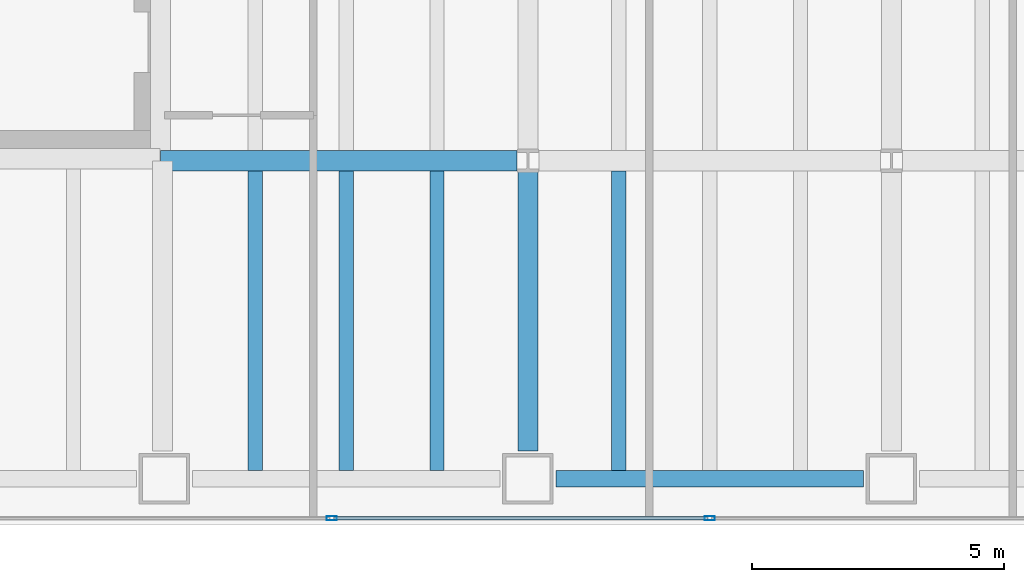
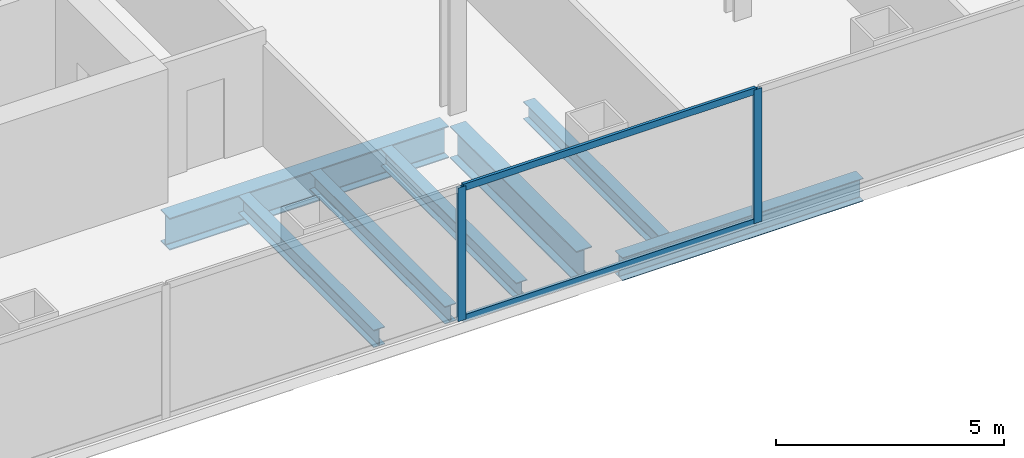
# One storey, part 4 of 25: 7 beams, 4 members, 1 element without a shape of its own.
"""IFC4 building model written with IfcOpenShell, lengths in metres."""

import ifcopenshell
import ifcopenshell.guid

model = None  # the IFC model being written
_history = None  # IfcOwnerHistory: only IFC2X3 demands one
_inside = {}  # id of a spatial element -> (the spatial element, [elements in it])
_under = {}  # id of a project, library or spatial element -> (it, [spatial elements below it])
_declared = {}  # id of a project -> (the project, [libraries it declares])
_typed = {}  # id of a type object -> (the type object, [elements of that type])
_made_of = {}  # id of a material, layer set ... -> (it, [elements and type objects made of it])


def new_model(schema):
    """Start an empty IFC model of exactly this schema.

    Asked for "IFC4X3", IfcOpenShell would pick the latest addendum, in which some entities
    have other attributes; the version numbers below select the first issue.
    IFC2X3 requires an IfcOwnerHistory on every rooted entity: one is made here for all.
    """
    global model, _history
    if schema == "IFC4X3":
        model = ifcopenshell.file(schema_version=(4, 3, 0, 0))
    else:
        model = ifcopenshell.file(schema=schema)
    _inside.clear()
    _under.clear()
    _declared.clear()
    _typed.clear()
    _made_of.clear()
    _history = None
    if model.schema == "IFC2X3":
        org = make("IfcOrganization", Name="unknown")
        user = make(
            "IfcPersonAndOrganization",
            ThePerson=make("IfcPerson", FamilyName="unknown"),
            TheOrganization=org,
        )
        app = make(
            "IfcApplication",
            ApplicationDeveloper=org,
            Version="unknown",
            ApplicationFullName="unknown",
            ApplicationIdentifier="unknown",
        )
        _history = make(
            "IfcOwnerHistory",
            OwningUser=user,
            OwningApplication=app,
            ChangeAction="ADDED",
            CreationDate=0,
        )
    return model


def make(cls, **values):
    """One entity of the class cls with the attributes given. An attribute that is None is left unset."""
    return model.create_entity(
        cls, **{name: value for name, value in values.items() if value is not None}
    )


def rooted(cls, **values):
    """An entity with a GlobalId (a new one), such as an element, a storey or a relation."""
    return make(cls, GlobalId=ifcopenshell.guid.new(), OwnerHistory=_history, **values)


def si_unit(unit_type, name, prefix=None):
    """IfcSIUnit, for example si_unit("LENGTHUNIT", "METRE", prefix="MILLI")."""
    return make("IfcSIUnit", UnitType=unit_type, Prefix=prefix, Name=name)


def assignment(units):
    """IfcUnitAssignment: the units of a project."""
    return None if units is None else make("IfcUnitAssignment", Units=units)


def point(xyz):
    """IfcCartesianPoint."""
    return None if xyz is None else make("IfcCartesianPoint", Coordinates=xyz)


def direction(xyz):
    """IfcDirection."""
    return None if xyz is None else make("IfcDirection", DirectionRatios=xyz)


def frame(location, z_axis=None, x_axis=None):
    """IfcAxis2Placement3D, a coordinate frame: its origin and axes. An axis left out is left unset."""
    return make(
        "IfcAxis2Placement3D",
        Location=point(location),
        Axis=direction(z_axis),
        RefDirection=direction(x_axis),
    )


def frame_2d(location, x_axis=None):
    """IfcAxis2Placement2D, a coordinate frame in the plane: its origin and x axis."""
    return make(
        "IfcAxis2Placement2D", Location=point(location), RefDirection=direction(x_axis)
    )


def origin():
    """The frame at (0, 0, 0) with its axes left unset."""
    return frame((0.0, 0.0, 0.0))


def origin_2d():
    """The frame at (0, 0) in the plane with its x axis left unset."""
    return frame_2d((0.0, 0.0))


def place(relative_to, where):
    """IfcLocalPlacement: puts the frame where relative to a parent placement (None: the world)."""
    return make(
        "IfcLocalPlacement", PlacementRelTo=relative_to, RelativePlacement=where
    )


def context(
    kind, dimensions, precision=None, world=None, true_north=None, identifier=None
):
    """IfcGeometricRepresentationContext, for example the 3D "Model" context."""
    return make(
        "IfcGeometricRepresentationContext",
        ContextIdentifier=identifier,
        ContextType=kind,
        CoordinateSpaceDimension=dimensions,
        Precision=precision,
        WorldCoordinateSystem=world,
        TrueNorth=true_north,
    )


def subcontext(parent, identifier, kind, view, scale=None):
    """IfcGeometricRepresentationSubContext, for example "Body" below "Model"."""
    return make(
        "IfcGeometricRepresentationSubContext",
        ContextIdentifier=identifier,
        ContextType=kind,
        ParentContext=parent,
        TargetScale=scale,
        TargetView=view,
    )


def project(units=None, contexts=None):
    """IfcProject with its units and contexts."""
    return rooted(
        "IfcProject",
        Name="project",
        RepresentationContexts=contexts,
        UnitsInContext=assignment(units),
    )


def spatial(cls, under=None, at=None, **own):
    """A site, building, storey or space (cls), placed at a placement, below another one or the project."""
    s = rooted(cls, ObjectPlacement=at, **own)
    if under is not None:
        _under.setdefault(under.id(), (under, []))[1].append(s)
    return s


def profile(cls, at=None, kind="AREA", **sizes):
    """A parametric profile (cls). Its sizes go by their IFC names, for example OverallWidth=200.0."""
    return make(cls, ProfileType=kind, Position=at, **sizes)


def hollow_rectangle(**sizes):
    """IfcRectangleHollowProfileDef."""
    return profile("IfcRectangleHollowProfileDef", **sizes)


def i_section(**sizes):
    """IfcIShapeProfileDef."""
    return profile("IfcIShapeProfileDef", **sizes)


def extrude(swept, where, along, depth):
    """IfcExtrudedAreaSolid: the profile swept, set in the frame where, extruded along a direction by depth."""
    return make(
        "IfcExtrudedAreaSolid",
        SweptArea=swept,
        Position=where,
        ExtrudedDirection=direction(along),
        Depth=depth,
    )


def shape(context_of_items, identifier, shape_type, items):
    """IfcShapeRepresentation: the items that make up one representation, for example the "Body"."""
    return make(
        "IfcShapeRepresentation",
        ContextOfItems=context_of_items,
        RepresentationIdentifier=identifier,
        RepresentationType=shape_type,
        Items=items,
    )


def material(Name=None, Category=None):
    """IfcMaterial."""
    return make("IfcMaterial", Name=Name, Category=Category)


def material_profile(
    of_material, cross_section, Name=None, Category=None, Priority=None
):
    """IfcMaterialProfile: a cross section and its material."""
    return make(
        "IfcMaterialProfile",
        Name=Name,
        Material=of_material,
        Profile=cross_section,
        Priority=Priority,
        Category=Category,
    )


def profile_set(profiles, Name=None, composite=None):
    """IfcMaterialProfileSet."""
    return make(
        "IfcMaterialProfileSet",
        Name=Name,
        MaterialProfiles=profiles,
        CompositeProfile=composite,
    )


def made_of(thing, what):
    """Note that an element or type object is made of a material, layer set ...; save() writes the relation."""
    if what is not None:
        _made_of.setdefault(what.id(), (what, []))[1].append(thing)
    return thing


def type_object(cls, material=None, **own):
    """A type object (cls), such as IfcWallType, which elements share."""
    return made_of(rooted(cls, **own), material)


def element(
    cls,
    number,
    at=None,
    inside=None,
    cuts=None,
    type_object=None,
    material=None,
    context=None,
    identifier="Body",
    shape_type=None,
    held_by="IfcProductDefinitionShape",
    body=None,
    shapes=None,
    **own,
):
    """One element of the class cls, such as IfcWall. Its Tag is "e" and its number.

    at: its placement. inside: the storey or other place that contains it. cuts: it is an
    opening in that element (IfcRelVoidsElement). A single representation is given by context,
    identifier, shape_type and body (its items); several are given by shapes. held_by: the class
    of the entity that holds the representations. save() writes the other relations.
    """
    e = rooted(cls, Tag="e%d" % number, ObjectPlacement=at, **own)
    if body is not None:
        shapes = [shape(context, identifier, shape_type, body)]
    if shapes is not None:
        e.Representation = make(held_by, Representations=shapes)
    if inside is not None:
        _inside.setdefault(inside.id(), (inside, []))[1].append(e)
    if cuts is not None:
        rooted(
            "IfcRelVoidsElement", RelatingBuildingElement=cuts, RelatedOpeningElement=e
        )
    if type_object is not None:
        _typed.setdefault(type_object.id(), (type_object, []))[1].append(e)
    return made_of(e, material)


def aggregate(whole, parts):
    """IfcRelAggregates: a whole, such as a stair, and the parts it consists of."""
    return rooted("IfcRelAggregates", RelatingObject=whole, RelatedObjects=parts)


def save(model, path):
    """Write the relations noted so far, then the file.

    IfcRelAggregates (storeys below a building ...), IfcRelContainedInSpatialStructure (elements
    in a storey), IfcRelDefinesByType, IfcRelAssociatesMaterial and IfcRelDeclares: one each for
    every whole, place, type object, material and project.
    """
    for whole, parts in _under.values():
        aggregate(whole, parts)
    for where, things in _inside.values():
        rooted(
            "IfcRelContainedInSpatialStructure",
            RelatedElements=things,
            RelatingStructure=where,
        )
    for kind, things in _typed.values():
        rooted("IfcRelDefinesByType", RelatedObjects=things, RelatingType=kind)
    for what, things in _made_of.values():
        rooted("IfcRelAssociatesMaterial", RelatedObjects=things, RelatingMaterial=what)
    for by, libraries in _declared.values():
        rooted("IfcRelDeclares", RelatingContext=by, RelatedDefinitions=libraries)
    model.write(path)


model = new_model("IFC4")

# Units and contexts
model_context = context("Model", 3, precision=1e-05, world=origin(), true_north=direction((0.0, 1.0)))
body_context = subcontext(model_context, "Body", "Model", "MODEL_VIEW")
ifc_project = project(units=[si_unit("LENGTHUNIT", "METRE"), si_unit("AREAUNIT", "SQUARE_METRE"), si_unit("VOLUMEUNIT", "CUBIC_METRE"), si_unit("PLANEANGLEUNIT", "RADIAN"), si_unit("MASSUNIT", "GRAM", prefix="KILO")], contexts=[model_context])

# Site, building, storey
site_placement = place(None, origin())
site = spatial("IfcSite", under=ifc_project, at=site_placement, CompositionType="ELEMENT")
building_placement = place(site_placement, origin())
building = spatial("IfcBuilding", under=site, at=building_placement, Name="Cobrela Telecom Tower", CompositionType="ELEMENT")
storey_placement = place(building_placement, frame((0.0, 0.0, 46.550048828125)))
storey = spatial("IfcBuildingStorey", under=building, at=storey_placement, Name="L11", CompositionType="ELEMENT", Elevation=46.550048828125)

# Beams
ifc_material_1 = material(Name="Steel ASTM A992 Grade 50", Category="steel")
ifc_material_profile_1 = material_profile(ifc_material_1, i_section(OverallWidth=0.39892578125, OverallDepth=0.85595703125, WebThickness=0.018310546875, FlangeThickness=0.029296875, FilletRadius=0.02001953125, at=origin_2d()), Name="W33X201")
ifc_profile_set_1 = profile_set([ifc_material_profile_1], Name="Steel ASTM A992 Grade 50")
beam_type_1 = type_object("IfcBeamType", Name="BM-GIRD-03", PredefinedType="USERDEFINED", material=ifc_profile_set_1)
beam_1_placement = place(storey_placement, frame((14.324951171875, 7.199951171875, -0.7080078125), z_axis=(1.0, 0.0, 0.0), x_axis=(0.0, 1.0, 0.0)))
element("IfcBeam", 1, at=beam_1_placement, inside=storey, type_object=beam_type_1, Name="L11 Primary Girder X08", ObjectType="GIRDER", PredefinedType="USERDEFINED", context=body_context, shape_type="SweptSolid", body=[
    extrude(i_section(OverallWidth=0.39892578125, OverallDepth=0.85595703125, WebThickness=0.018310546875, FlangeThickness=0.029296875, FilletRadius=0.02001953125, at=origin_2d()), origin(), (0.0, 0.0, 1.0), 7.05908203125),
])
beam_2_placement = place(storey_placement, frame((21.60009765625, 1.455078125, -0.7080078125), z_axis=(0.0, 1.0, 0.0), x_axis=(-1.0, 0.0, 0.0)))
element("IfcBeam", 2, at=beam_2_placement, inside=storey, type_object=beam_type_1, Name="L11 Primary Girder Y40", ObjectType="GIRDER", PredefinedType="USERDEFINED", context=body_context, shape_type="SweptSolid", body=[
    extrude(i_section(OverallWidth=0.39892578125, OverallDepth=0.85595703125, WebThickness=0.018310546875, FlangeThickness=0.029296875, FilletRadius=0.02001953125, at=origin_2d()), origin(), (0.0, 0.0, 1.0), 5.52880859375),
])
ifc_material_profile_2 = material_profile(ifc_material_1, i_section(OverallWidth=0.281982421875, OverallDepth=0.467041015625, WebThickness=0.01220703125, FlangeThickness=0.01953125, FilletRadius=0.012939453125, at=origin_2d()), Name="W18X86")
ifc_profile_set_2 = profile_set([ifc_material_profile_2], Name="Steel ASTM A992 Grade 50")
beam_type_2 = type_object("IfcBeamType", Name="BM-JOIST-02", PredefinedType="JOIST", material=ifc_profile_set_2)
for number, where, z_axis, x_axis, name in (
    (3, (16.199951171875, 1.0673828125, -0.513427734375), (0.0, 1.0, 0.0), (-1.0, 0.0, 0.0), "L11 Secondary Composite Floor Beam J07"),
    (4, (18.0, 1.0673828125, -0.513427734375), (0.0, 1.0, 0.0), (-1.0, 0.0, 0.0), "L11 Secondary Composite Floor Beam J13"),
    (5, (19.800048828125, 1.0673828125, -0.513427734375), (0.0, 1.0, 0.0), (-1.0, 0.0, 0.0), "L11 Secondary Composite Floor Beam J19"),
    (6, (23.39990234375, 1.0673828125, -0.513427734375), (0.0, 1.0, 0.0), (-1.0, 0.0, 0.0), "L11 Secondary Composite Floor Beam J25"),
):
    element("IfcBeam", number, at=place(storey_placement, frame(where, z_axis=z_axis, x_axis=x_axis)), inside=storey, type_object=beam_type_2, Name=name, PredefinedType="JOIST", context=body_context, shape_type="SweptSolid", body=[
        extrude(i_section(OverallWidth=0.281982421875, OverallDepth=0.467041015625, WebThickness=0.01220703125, FlangeThickness=0.01953125, FilletRadius=0.012939453125, at=origin_2d()), origin(), (0.0, 0.0, 1.0), 5.92822265625),
    ])
ifc_material_profile_3 = material_profile(ifc_material_1, i_section(OverallWidth=0.324951171875, OverallDepth=0.612060546875, WebThickness=0.0126953125, FlangeThickness=0.01904296875, FilletRadius=0.014892578125, at=origin_2d()), Name="W24X104")
ifc_profile_set_3 = profile_set([ifc_material_profile_3], Name="Steel ASTM A992 Grade 50")
beam_type_3 = type_object("IfcBeamType", Name="BM-SPAND-02", PredefinedType="SPANDREL", material=ifc_profile_set_3)
beam_3_placement = place(storey_placement, frame((22.155029296875, 0.89990234375, -0.5859375), z_axis=(1.0, 0.0, 0.0), x_axis=(0.0, 1.0, 0.0)))
element("IfcBeam", 7, at=beam_3_placement, inside=storey, type_object=beam_type_3, Name="L11 Perimeter Spandrel X03", PredefinedType="SPANDREL", context=body_context, shape_type="SweptSolid", body=[
    extrude(i_section(OverallWidth=0.324951171875, OverallDepth=0.612060546875, WebThickness=0.0126953125, FlangeThickness=0.01904296875, FilletRadius=0.014892578125, at=origin_2d()), origin(), (0.0, 0.0, 1.0), 6.090087890625),
])

# Curtain wall, members
ifc_material_2 = material(Name="Anodized Bronze Aluminium 6063-T6", Category="aluminium")
curtain_wall_type = type_object("IfcCurtainWallType", Name="CW-SYS-DATA", PredefinedType="USERDEFINED", material=ifc_material_2)
curtain_wall_placement = place(storey_placement, origin())
curtain_wall = element("IfcCurtainWall", 8, at=curtain_wall_placement, inside=storey, type_object=curtain_wall_type, Name="L11 Unitised Bronze Curtain Wall 17", ObjectType="UNITISED CURTAIN WALL", PredefinedType="USERDEFINED")
ifc_material_profile_4 = material_profile(ifc_material_2, hollow_rectangle(XDim=0.080078125, YDim=0.199951171875, WallThickness=0.00390625, at=origin_2d()), Name="ALU 80x200x4")
ifc_profile_set_4 = profile_set([ifc_material_profile_4], Name="Anodized Bronze Aluminium 6063-T6")
member_type_1 = type_object("IfcMemberType", Name="CW-SYS-DATA-MUL", PredefinedType="MULLION", material=ifc_profile_set_4)
member_1_placement = place(storey_placement, frame((25.199951171875, 0.1201171875, 0.0), z_axis=(0.0, 0.0, 1.0), x_axis=(0.0, -1.0, 0.0)))
member_1 = element("IfcMember", 9, at=member_1_placement, type_object=member_type_1, Name="CW-DATA mullion 4", PredefinedType="MULLION", context=body_context, shape_type="SweptSolid", body=[
    extrude(hollow_rectangle(XDim=0.080078125, YDim=0.199951171875, WallThickness=0.00390625, at=origin_2d()), origin(), (0.0, 0.0, 1.0), 3.570068359375),
])
member_2_placement = place(storey_placement, frame((17.716552734375, 0.1201171875, 0.0), z_axis=(0.0, 0.0, 1.0), x_axis=(0.0, -1.0, 0.0)))
member_2 = element("IfcMember", 10, at=member_2_placement, type_object=member_type_1, Name="CW-DATA mullion 5", PredefinedType="MULLION", context=body_context, shape_type="SweptSolid", body=[
    extrude(hollow_rectangle(XDim=0.080078125, YDim=0.199951171875, WallThickness=0.00390625, at=origin_2d()), origin(), (0.0, 0.0, 1.0), 3.570068359375),
])
ifc_material_profile_5 = material_profile(ifc_material_2, hollow_rectangle(XDim=0.074951171875, YDim=0.179931640625, WallThickness=0.00390625, at=origin_2d()), Name="ALU 75x180x4")
ifc_profile_set_5 = profile_set([ifc_material_profile_5], Name="Anodized Bronze Aluminium 6063-T6")
member_type_2 = type_object("IfcMemberType", Name="CW-SYS-DATA-TRN", PredefinedType="USERDEFINED", material=ifc_profile_set_5)
member_3_placement = place(storey_placement, frame((25.159912109375, 0.1201171875, 0.037353515625), z_axis=(-1.0, 0.0, 0.0), x_axis=(0.0, -1.0, 0.0)))
member_3 = element("IfcMember", 11, at=member_3_placement, type_object=member_type_2, Name="CW-DATA transom 4.1", ObjectType="TRANSOM", PredefinedType="USERDEFINED", context=body_context, shape_type="SweptSolid", body=[
    extrude(hollow_rectangle(XDim=0.074951171875, YDim=0.179931640625, WallThickness=0.00390625, at=origin_2d()), origin(), (0.0, 0.0, 1.0), 7.4033203125),
])
member_4_placement = place(storey_placement, frame((25.159912109375, 0.1201171875, 3.532470703125), z_axis=(-1.0, 0.0, 0.0), x_axis=(0.0, -1.0, 0.0)))
member_4 = element("IfcMember", 12, at=member_4_placement, type_object=member_type_2, Name="CW-DATA transom 4.2", ObjectType="TRANSOM", PredefinedType="USERDEFINED", context=body_context, shape_type="SweptSolid", body=[
    extrude(hollow_rectangle(XDim=0.074951171875, YDim=0.179931640625, WallThickness=0.00390625, at=origin_2d()), origin(), (0.0, 0.0, 1.0), 7.4033203125),
])
aggregate(curtain_wall, [member_1, member_2, member_3, member_4])

save(model, "model.ifc")
